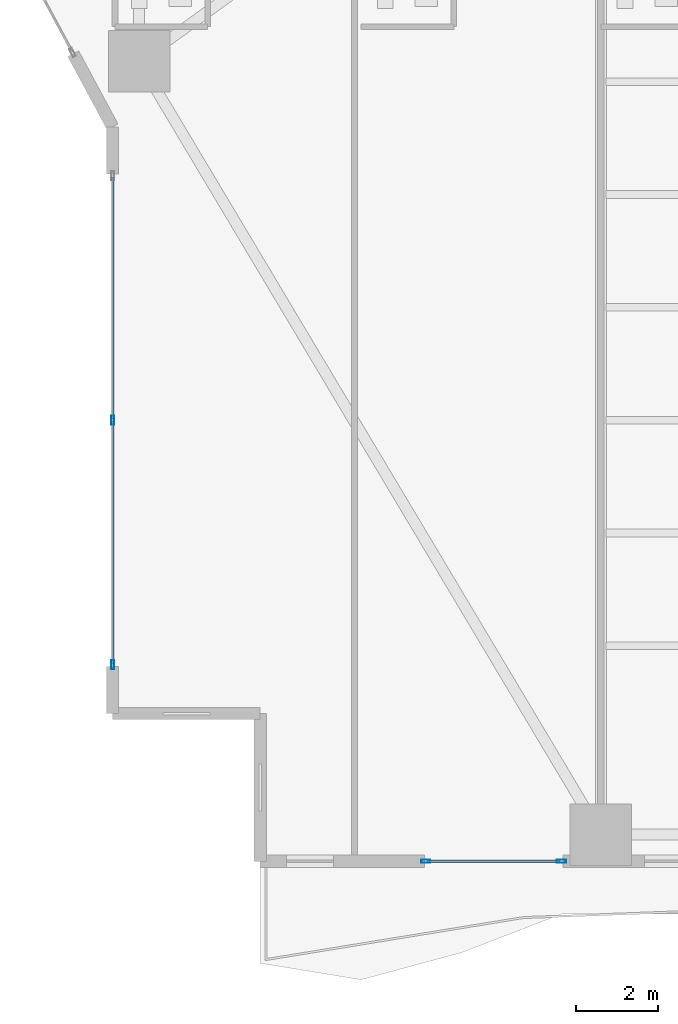
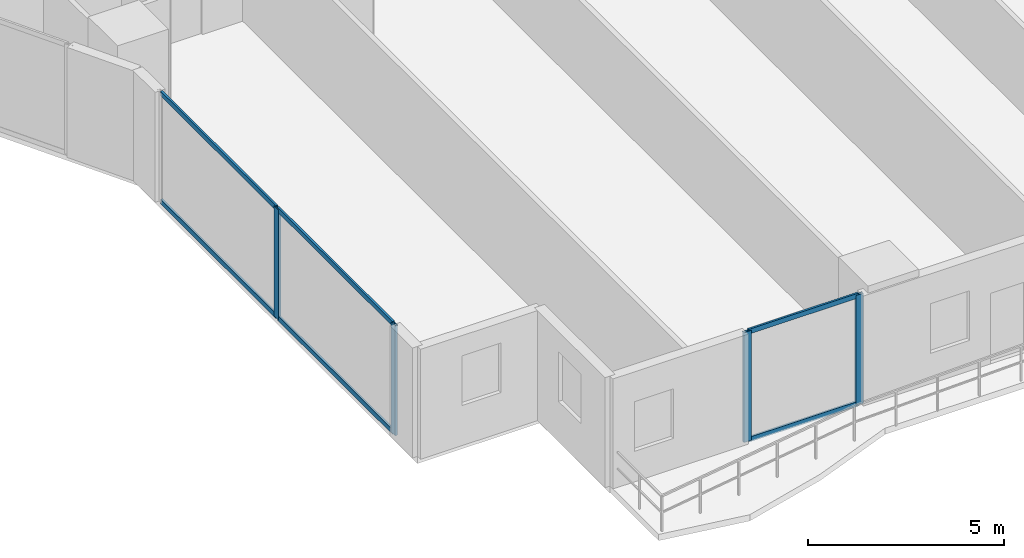
# One storey, part 2 of 29: 10 members, 2 elements without a shape of their own.
"""IFC4 building model written with IfcOpenShell, lengths in metres."""

import ifcopenshell
import ifcopenshell.guid

model = None  # the IFC model being written
_history = None  # IfcOwnerHistory: only IFC2X3 demands one
_inside = {}  # id of a spatial element -> (the spatial element, [elements in it])
_under = {}  # id of a project, library or spatial element -> (it, [spatial elements below it])
_declared = {}  # id of a project -> (the project, [libraries it declares])
_typed = {}  # id of a type object -> (the type object, [elements of that type])
_made_of = {}  # id of a material, layer set ... -> (it, [elements and type objects made of it])


def new_model(schema):
    """Start an empty IFC model of exactly this schema.

    Asked for "IFC4X3", IfcOpenShell would pick the latest addendum, in which some entities
    have other attributes; the version numbers below select the first issue.
    IFC2X3 requires an IfcOwnerHistory on every rooted entity: one is made here for all.
    """
    global model, _history
    if schema == "IFC4X3":
        model = ifcopenshell.file(schema_version=(4, 3, 0, 0))
    else:
        model = ifcopenshell.file(schema=schema)
    _inside.clear()
    _under.clear()
    _declared.clear()
    _typed.clear()
    _made_of.clear()
    _history = None
    if model.schema == "IFC2X3":
        org = make("IfcOrganization", Name="unknown")
        user = make(
            "IfcPersonAndOrganization",
            ThePerson=make("IfcPerson", FamilyName="unknown"),
            TheOrganization=org,
        )
        app = make(
            "IfcApplication",
            ApplicationDeveloper=org,
            Version="unknown",
            ApplicationFullName="unknown",
            ApplicationIdentifier="unknown",
        )
        _history = make(
            "IfcOwnerHistory",
            OwningUser=user,
            OwningApplication=app,
            ChangeAction="ADDED",
            CreationDate=0,
        )
    return model


def make(cls, **values):
    """One entity of the class cls with the attributes given. An attribute that is None is left unset."""
    return model.create_entity(
        cls, **{name: value for name, value in values.items() if value is not None}
    )


def rooted(cls, **values):
    """An entity with a GlobalId (a new one), such as an element, a storey or a relation."""
    return make(cls, GlobalId=ifcopenshell.guid.new(), OwnerHistory=_history, **values)


def si_unit(unit_type, name, prefix=None):
    """IfcSIUnit, for example si_unit("LENGTHUNIT", "METRE", prefix="MILLI")."""
    return make("IfcSIUnit", UnitType=unit_type, Prefix=prefix, Name=name)


def assignment(units):
    """IfcUnitAssignment: the units of a project."""
    return None if units is None else make("IfcUnitAssignment", Units=units)


def point(xyz):
    """IfcCartesianPoint."""
    return None if xyz is None else make("IfcCartesianPoint", Coordinates=xyz)


def direction(xyz):
    """IfcDirection."""
    return None if xyz is None else make("IfcDirection", DirectionRatios=xyz)


def frame(location, z_axis=None, x_axis=None):
    """IfcAxis2Placement3D, a coordinate frame: its origin and axes. An axis left out is left unset."""
    return make(
        "IfcAxis2Placement3D",
        Location=point(location),
        Axis=direction(z_axis),
        RefDirection=direction(x_axis),
    )


def frame_2d(location, x_axis=None):
    """IfcAxis2Placement2D, a coordinate frame in the plane: its origin and x axis."""
    return make(
        "IfcAxis2Placement2D", Location=point(location), RefDirection=direction(x_axis)
    )


def origin():
    """The frame at (0, 0, 0) with its axes left unset."""
    return frame((0.0, 0.0, 0.0))


def origin_2d():
    """The frame at (0, 0) in the plane with its x axis left unset."""
    return frame_2d((0.0, 0.0))


def place(relative_to, where):
    """IfcLocalPlacement: puts the frame where relative to a parent placement (None: the world)."""
    return make(
        "IfcLocalPlacement", PlacementRelTo=relative_to, RelativePlacement=where
    )


def context(
    kind, dimensions, precision=None, world=None, true_north=None, identifier=None
):
    """IfcGeometricRepresentationContext, for example the 3D "Model" context."""
    return make(
        "IfcGeometricRepresentationContext",
        ContextIdentifier=identifier,
        ContextType=kind,
        CoordinateSpaceDimension=dimensions,
        Precision=precision,
        WorldCoordinateSystem=world,
        TrueNorth=true_north,
    )


def subcontext(parent, identifier, kind, view, scale=None):
    """IfcGeometricRepresentationSubContext, for example "Body" below "Model"."""
    return make(
        "IfcGeometricRepresentationSubContext",
        ContextIdentifier=identifier,
        ContextType=kind,
        ParentContext=parent,
        TargetScale=scale,
        TargetView=view,
    )


def project(units=None, contexts=None):
    """IfcProject with its units and contexts."""
    return rooted(
        "IfcProject",
        Name="project",
        RepresentationContexts=contexts,
        UnitsInContext=assignment(units),
    )


def spatial(cls, under=None, at=None, **own):
    """A site, building, storey or space (cls), placed at a placement, below another one or the project."""
    s = rooted(cls, ObjectPlacement=at, **own)
    if under is not None:
        _under.setdefault(under.id(), (under, []))[1].append(s)
    return s


def profile(cls, at=None, kind="AREA", **sizes):
    """A parametric profile (cls). Its sizes go by their IFC names, for example OverallWidth=200.0."""
    return make(cls, ProfileType=kind, Position=at, **sizes)


def hollow_rectangle(**sizes):
    """IfcRectangleHollowProfileDef."""
    return profile("IfcRectangleHollowProfileDef", **sizes)


def extrude(swept, where, along, depth):
    """IfcExtrudedAreaSolid: the profile swept, set in the frame where, extruded along a direction by depth."""
    return make(
        "IfcExtrudedAreaSolid",
        SweptArea=swept,
        Position=where,
        ExtrudedDirection=direction(along),
        Depth=depth,
    )


def shape(context_of_items, identifier, shape_type, items):
    """IfcShapeRepresentation: the items that make up one representation, for example the "Body"."""
    return make(
        "IfcShapeRepresentation",
        ContextOfItems=context_of_items,
        RepresentationIdentifier=identifier,
        RepresentationType=shape_type,
        Items=items,
    )


def material(Name=None, Category=None):
    """IfcMaterial."""
    return make("IfcMaterial", Name=Name, Category=Category)


def layer(
    of_material, thickness, ventilated=None, Name=None, Category=None, Priority=None
):
    """IfcMaterialLayer: one layer of a wall or slab, of a material (None: an air gap)."""
    return make(
        "IfcMaterialLayer",
        Material=of_material,
        LayerThickness=thickness,
        IsVentilated=ventilated,
        Name=Name,
        Category=Category,
        Priority=Priority,
    )


def layer_set(layers, Name=None):
    """IfcMaterialLayerSet."""
    return make("IfcMaterialLayerSet", MaterialLayers=layers, LayerSetName=Name)


def material_profile(
    of_material, cross_section, Name=None, Category=None, Priority=None
):
    """IfcMaterialProfile: a cross section and its material."""
    return make(
        "IfcMaterialProfile",
        Name=Name,
        Material=of_material,
        Profile=cross_section,
        Priority=Priority,
        Category=Category,
    )


def profile_set(profiles, Name=None, composite=None):
    """IfcMaterialProfileSet."""
    return make(
        "IfcMaterialProfileSet",
        Name=Name,
        MaterialProfiles=profiles,
        CompositeProfile=composite,
    )


def made_of(thing, what):
    """Note that an element or type object is made of a material, layer set ...; save() writes the relation."""
    if what is not None:
        _made_of.setdefault(what.id(), (what, []))[1].append(thing)
    return thing


def type_object(cls, material=None, **own):
    """A type object (cls), such as IfcWallType, which elements share."""
    return made_of(rooted(cls, **own), material)


def element(
    cls,
    number,
    at=None,
    inside=None,
    cuts=None,
    type_object=None,
    material=None,
    context=None,
    identifier="Body",
    shape_type=None,
    held_by="IfcProductDefinitionShape",
    body=None,
    shapes=None,
    **own,
):
    """One element of the class cls, such as IfcWall. Its Tag is "e" and its number.

    at: its placement. inside: the storey or other place that contains it. cuts: it is an
    opening in that element (IfcRelVoidsElement). A single representation is given by context,
    identifier, shape_type and body (its items); several are given by shapes. held_by: the class
    of the entity that holds the representations. save() writes the other relations.
    """
    e = rooted(cls, Tag="e%d" % number, ObjectPlacement=at, **own)
    if body is not None:
        shapes = [shape(context, identifier, shape_type, body)]
    if shapes is not None:
        e.Representation = make(held_by, Representations=shapes)
    if inside is not None:
        _inside.setdefault(inside.id(), (inside, []))[1].append(e)
    if cuts is not None:
        rooted(
            "IfcRelVoidsElement", RelatingBuildingElement=cuts, RelatedOpeningElement=e
        )
    if type_object is not None:
        _typed.setdefault(type_object.id(), (type_object, []))[1].append(e)
    return made_of(e, material)


def aggregate(whole, parts):
    """IfcRelAggregates: a whole, such as a stair, and the parts it consists of."""
    return rooted("IfcRelAggregates", RelatingObject=whole, RelatedObjects=parts)


def save(model, path):
    """Write the relations noted so far, then the file.

    IfcRelAggregates (storeys below a building ...), IfcRelContainedInSpatialStructure (elements
    in a storey), IfcRelDefinesByType, IfcRelAssociatesMaterial and IfcRelDeclares: one each for
    every whole, place, type object, material and project.
    """
    for whole, parts in _under.values():
        aggregate(whole, parts)
    for where, things in _inside.values():
        rooted(
            "IfcRelContainedInSpatialStructure",
            RelatedElements=things,
            RelatingStructure=where,
        )
    for kind, things in _typed.values():
        rooted("IfcRelDefinesByType", RelatedObjects=things, RelatingType=kind)
    for what, things in _made_of.values():
        rooted("IfcRelAssociatesMaterial", RelatedObjects=things, RelatingMaterial=what)
    for by, libraries in _declared.values():
        rooted("IfcRelDeclares", RelatingContext=by, RelatedDefinitions=libraries)
    model.write(path)


model = new_model("IFC4")

# Units and contexts
model_context = context("Model", 3, precision=1e-05, world=origin(), true_north=direction((0.0, 1.0)))
body_context = subcontext(model_context, "Body", "Model", "MODEL_VIEW")
ifc_project = project(units=[si_unit("LENGTHUNIT", "METRE"), si_unit("AREAUNIT", "SQUARE_METRE"), si_unit("VOLUMEUNIT", "CUBIC_METRE"), si_unit("PLANEANGLEUNIT", "RADIAN"), si_unit("MASSUNIT", "GRAM", prefix="KILO")], contexts=[model_context])

# Site, building, storey
site_placement = place(None, origin())
site = spatial("IfcSite", under=ifc_project, at=site_placement, CompositionType="ELEMENT")
building_placement = place(site_placement, origin())
building = spatial("IfcBuilding", under=site, at=building_placement, Name="Zuhayl Quay Hotel", CompositionType="ELEMENT")
storey_placement = place(building_placement, frame((0.0, 0.0, 67.75)))
storey = spatial("IfcBuildingStorey", under=building, at=storey_placement, Name="L16", CompositionType="ELEMENT", Elevation=67.75)

# Curtain wall, members
ifc_material_1 = material(Name="Anodised Aluminium 6063-T6", Category="aluminium")
ifc_layer = layer(ifc_material_1, 0.18994140625, Name="Anodised Aluminium 6063-T6", Category="aluminium")
ifc_layer_set = layer_set([ifc_layer], Name="Anodised Aluminium 6063-T6")
curtain_wall_type = type_object("IfcCurtainWallType", Name="CW_SYS_Z1", PredefinedType="USERDEFINED", material=ifc_layer_set)
curtain_wall_1_placement = place(storey_placement, origin())
curtain_wall_1 = element("IfcCurtainWall", 1, at=curtain_wall_1_placement, inside=storey, type_object=curtain_wall_type, Name="L16 Curtain Wall ENV_L16_E02_CW1", ObjectType="UNITISED CURTAIN WALL", PredefinedType="USERDEFINED")
ifc_material_2 = material(Name="Black-anodised aluminium 6063-T6", Category="aluminium")
ifc_material_profile_1 = material_profile(ifc_material_2, hollow_rectangle(XDim=0.074951171875, YDim=0.219970703125, WallThickness=0.00390625, at=origin_2d()), Name="ALU220X75")
ifc_profile_set_1 = profile_set([ifc_material_profile_1], Name="Black-anodised aluminium 6063-T6")
member_type_1 = type_object("IfcMemberType", Name="MB_CW_MUL_220", PredefinedType="MULLION", material=ifc_profile_set_1)
member_1_placement = place(storey_placement, frame((-25.699951171875, -18.3125, 0.0), z_axis=(0.0, 0.0, 1.0), x_axis=(-1.0, 0.0, 0.0)))
member_1 = element("IfcMember", 2, at=member_1_placement, type_object=member_type_1, Name="CW-Z1 mullion 1", PredefinedType="MULLION", context=body_context, shape_type="SweptSolid", body=[
    extrude(hollow_rectangle(XDim=0.074951171875, YDim=0.219970703125, WallThickness=0.00390625, at=origin_2d()), origin(), (0.0, 0.0, 1.0), 3.429931640625),
])
member_2_placement = place(storey_placement, frame((-25.699951171875, -12.35009765625, 0.0), z_axis=(0.0, 0.0, 1.0), x_axis=(-1.0, 0.0, 0.0)))
member_2 = element("IfcMember", 3, at=member_2_placement, type_object=member_type_1, Name="CW-Z1 mullion 2", PredefinedType="MULLION", context=body_context, shape_type="SweptSolid", body=[
    extrude(hollow_rectangle(XDim=0.074951171875, YDim=0.219970703125, WallThickness=0.00390625, at=origin_2d()), origin(), (0.0, 0.0, 1.0), 3.429931640625),
])

curtain_wall_2_placement = place(storey_placement, origin())
curtain_wall_2 = element("IfcCurtainWall", 4, at=curtain_wall_2_placement, inside=storey, type_object=curtain_wall_type, Name="L16 Curtain Wall ENV_L16_S_CW7", ObjectType="UNITISED CURTAIN WALL", PredefinedType="USERDEFINED")
member_3_placement = place(storey_placement, frame((-14.757568359375, -23.10009765625, 0.0), z_axis=(0.0, 0.0, 1.0), x_axis=(0.0, -1.0, 0.0)))
member_3 = element("IfcMember", 5, at=member_3_placement, type_object=member_type_1, Name="CW-Z1 mullion 1", PredefinedType="MULLION", context=body_context, shape_type="SweptSolid", body=[
    extrude(hollow_rectangle(XDim=0.074951171875, YDim=0.219970703125, WallThickness=0.00390625, at=origin_2d()), origin(), (0.0, 0.0, 1.0), 3.429931640625),
])
member_4_placement = place(storey_placement, frame((-18.0625, -23.10009765625, 0.0), z_axis=(0.0, 0.0, 1.0), x_axis=(0.0, -1.0, 0.0)))
member_4 = element("IfcMember", 6, at=member_4_placement, type_object=member_type_1, Name="CW-Z1 mullion 2", PredefinedType="MULLION", context=body_context, shape_type="SweptSolid", body=[
    extrude(hollow_rectangle(XDim=0.074951171875, YDim=0.219970703125, WallThickness=0.00390625, at=origin_2d()), origin(), (0.0, 0.0, 1.0), 3.429931640625),
])

# Member
ifc_material_profile_2 = material_profile(ifc_material_2, hollow_rectangle(XDim=0.06005859375, YDim=0.14990234375, WallThickness=0.00341796875, at=origin_2d()), Name="ALU150X60")
ifc_profile_set_2 = profile_set([ifc_material_profile_2], Name="Black-anodised aluminium 6063-T6")
member_type_2 = type_object("IfcMemberType", Name="MB_CW_TRN_150", PredefinedType="USERDEFINED", material=ifc_profile_set_2)
member_5_placement = place(storey_placement, frame((-25.699951171875, -18.27490234375, 0.030029296875), z_axis=(0.0, 1.0, 0.0), x_axis=(-1.0, 0.0, 0.0)))
member_5 = element("IfcMember", 7, at=member_5_placement, type_object=member_type_2, Name="CW-Z1 transom 1.1", ObjectType="TRANSOM", PredefinedType="USERDEFINED", context=body_context, shape_type="SweptSolid", body=[
    extrude(hollow_rectangle(XDim=0.06005859375, YDim=0.14990234375, WallThickness=0.00341796875, at=origin_2d()), origin(), (0.0, 0.0, 1.0), 5.887451171875),
])

member_6_placement = place(storey_placement, frame((-25.699951171875, -18.27490234375, 3.39990234375), z_axis=(0.0, 1.0, 0.0), x_axis=(-1.0, 0.0, 0.0)))
member_6 = element("IfcMember", 8, at=member_6_placement, type_object=member_type_2, Name="CW-Z1 transom 1.2", ObjectType="TRANSOM", PredefinedType="USERDEFINED", context=body_context, shape_type="SweptSolid", body=[
    extrude(hollow_rectangle(XDim=0.06005859375, YDim=0.14990234375, WallThickness=0.00341796875, at=origin_2d()), origin(), (0.0, 0.0, 1.0), 5.887451171875),
])

member_7_placement = place(storey_placement, frame((-25.699951171875, -12.3125, 0.030029296875), z_axis=(0.0, 1.0, 0.0), x_axis=(-1.0, 0.0, 0.0)))
member_7 = element("IfcMember", 9, at=member_7_placement, type_object=member_type_2, Name="CW-Z1 transom 2.1", ObjectType="TRANSOM", PredefinedType="USERDEFINED", context=body_context, shape_type="SweptSolid", body=[
    extrude(hollow_rectangle(XDim=0.06005859375, YDim=0.14990234375, WallThickness=0.00341796875, at=origin_2d()), origin(), (0.0, 0.0, 1.0), 5.887451171875),
])

member_8_placement = place(storey_placement, frame((-25.699951171875, -12.3125, 3.39990234375), z_axis=(0.0, 1.0, 0.0), x_axis=(-1.0, 0.0, 0.0)))
member_8 = element("IfcMember", 10, at=member_8_placement, type_object=member_type_2, Name="CW-Z1 transom 2.2", ObjectType="TRANSOM", PredefinedType="USERDEFINED", context=body_context, shape_type="SweptSolid", body=[
    extrude(hollow_rectangle(XDim=0.06005859375, YDim=0.14990234375, WallThickness=0.00341796875, at=origin_2d()), origin(), (0.0, 0.0, 1.0), 5.887451171875),
])

aggregate(curtain_wall_1, [member_1, member_2, member_5, member_6, member_7, member_8])

member_9_placement = place(storey_placement, frame((-14.794921875, -23.10009765625, 0.030029296875), z_axis=(-1.0, 0.0, 0.0), x_axis=(0.0, -1.0, 0.0)))
member_9 = element("IfcMember", 11, at=member_9_placement, type_object=member_type_2, Name="CW-Z1 transom 1.1", ObjectType="TRANSOM", PredefinedType="USERDEFINED", context=body_context, shape_type="SweptSolid", body=[
    extrude(hollow_rectangle(XDim=0.06005859375, YDim=0.14990234375, WallThickness=0.00341796875, at=origin_2d()), origin(), (0.0, 0.0, 1.0), 3.22998046875),
])

member_10_placement = place(storey_placement, frame((-14.794921875, -23.10009765625, 3.39990234375), z_axis=(-1.0, 0.0, 0.0), x_axis=(0.0, -1.0, 0.0)))
member_10 = element("IfcMember", 12, at=member_10_placement, type_object=member_type_2, Name="CW-Z1 transom 1.2", ObjectType="TRANSOM", PredefinedType="USERDEFINED", context=body_context, shape_type="SweptSolid", body=[
    extrude(hollow_rectangle(XDim=0.06005859375, YDim=0.14990234375, WallThickness=0.00341796875, at=origin_2d()), origin(), (0.0, 0.0, 1.0), 3.22998046875),
])

aggregate(curtain_wall_2, [member_3, member_4, member_9, member_10])

save(model, "model.ifc")
